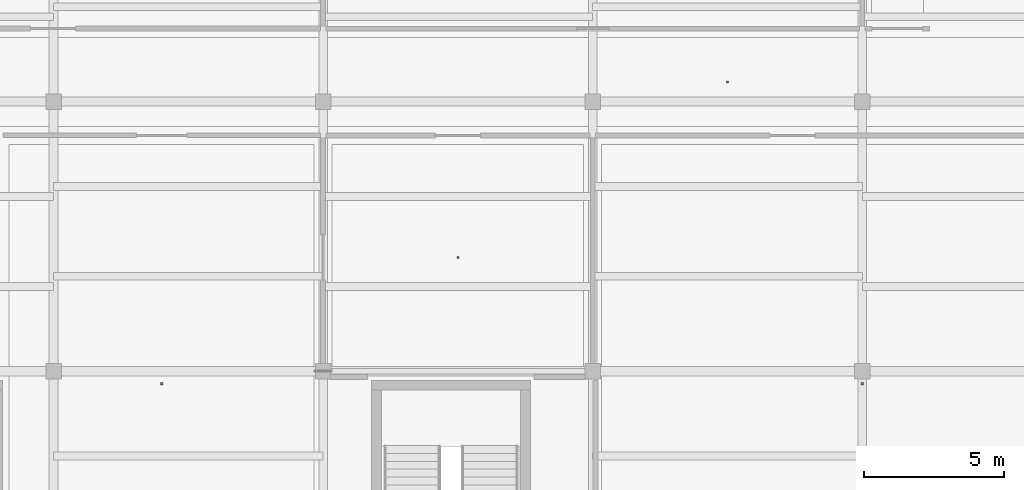
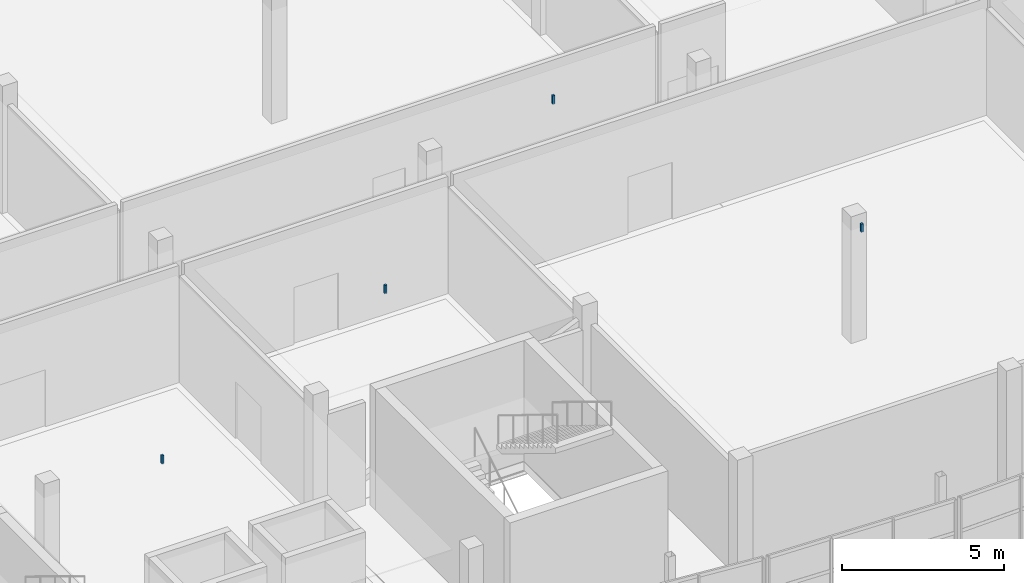
# One storey, part 147 of 157: 4 discrete accessories.
"""IFC4 building model written with IfcOpenShell, lengths in metres."""

from ifc_helpers import new_model, si_unit, direction, frame, origin, origin_2d, place, context, subcontext, project, spatial, rectangle, extrude, material, type_object, element, save


model = new_model("IFC4")

# Units and contexts
model_context = context("Model", 3, precision=1e-05, world=origin(), true_north=direction((0.0, 1.0)))
body_context = subcontext(model_context, "Body", "Model", "MODEL_VIEW")
ifc_project = project(units=[si_unit("LENGTHUNIT", "METRE"), si_unit("AREAUNIT", "SQUARE_METRE"), si_unit("VOLUMEUNIT", "CUBIC_METRE"), si_unit("PLANEANGLEUNIT", "RADIAN"), si_unit("MASSUNIT", "GRAM", prefix="KILO")], contexts=[model_context])

# Site, building, storey
site_placement = place(None, origin())
site = spatial("IfcSite", under=ifc_project, at=site_placement, CompositionType="ELEMENT")
building_placement = place(site_placement, origin())
building = spatial("IfcBuilding", under=site, at=building_placement, Name="Chalmorin Arch Market", CompositionType="ELEMENT")
storey_placement = place(building_placement, frame((0.0, 0.0, 4.800048828125)))
storey = spatial("IfcBuildingStorey", under=building, at=storey_placement, Name="L01", CompositionType="ELEMENT", Elevation=4.800048828125)

# Discrete accessories
ifc_material = material(Name="Galvanized Cold-Formed Steel", Category="steel")
discrete_accessory_type = type_object("IfcDiscreteAccessoryType", Name="CeilingSuspensionBracket-80x80", PredefinedType="BRACKET", material=ifc_material)
discrete_accessory_1_placement = place(storey_placement, frame((61.449951171875, 81.14990234375, 4.2529296875), z_axis=(0.0, 0.0, 1.0), x_axis=(1.0, 0.0, 0.0)))
element("IfcDiscreteAccessory", 1, at=discrete_accessory_1_placement, inside=storey, type_object=discrete_accessory_type, Name="CSB-172", PredefinedType="BRACKET", context=body_context, shape_type="SweptSolid", body=[
    extrude(rectangle(XDim=0.080078125, YDim=0.080078125, at=origin_2d()), origin(), (0.0, 0.0, 1.0), 0.31689453125),
])
for number, where, z_axis, x_axis, name in (
    (2, (72.0, 85.64990234375, 4.259033203125), (0.0, 0.0, 1.0), (1.0, 0.0, 0.0), "CSB-174"),
    (3, (86.39990234375, 81.14990234375, 4.259033203125), (0.0, 0.0, 1.0), (1.0, 0.0, 0.0), "CSB-176"),
):
    element("IfcDiscreteAccessory", number, at=place(storey_placement, frame(where, z_axis=z_axis, x_axis=x_axis)), inside=storey, type_object=discrete_accessory_type, Name=name, PredefinedType="BRACKET", context=body_context, shape_type="SweptSolid", body=[
        extrude(rectangle(XDim=0.080078125, YDim=0.080078125, at=origin_2d()), origin(), (0.0, 0.0, 1.0), 0.31103515625),
    ])
discrete_accessory_2_placement = place(storey_placement, frame((81.60009765625, 91.89990234375, 4.2529296875), z_axis=(0.0, 0.0, 1.0), x_axis=(1.0, 0.0, 0.0)))
element("IfcDiscreteAccessory", 4, at=discrete_accessory_2_placement, inside=storey, type_object=discrete_accessory_type, Name="CSB-180", PredefinedType="BRACKET", context=body_context, shape_type="SweptSolid", body=[
    extrude(rectangle(XDim=0.080078125, YDim=0.080078125, at=origin_2d()), origin(), (0.0, 0.0, 1.0), 0.31689453125),
])

save(model, "model.ifc")
